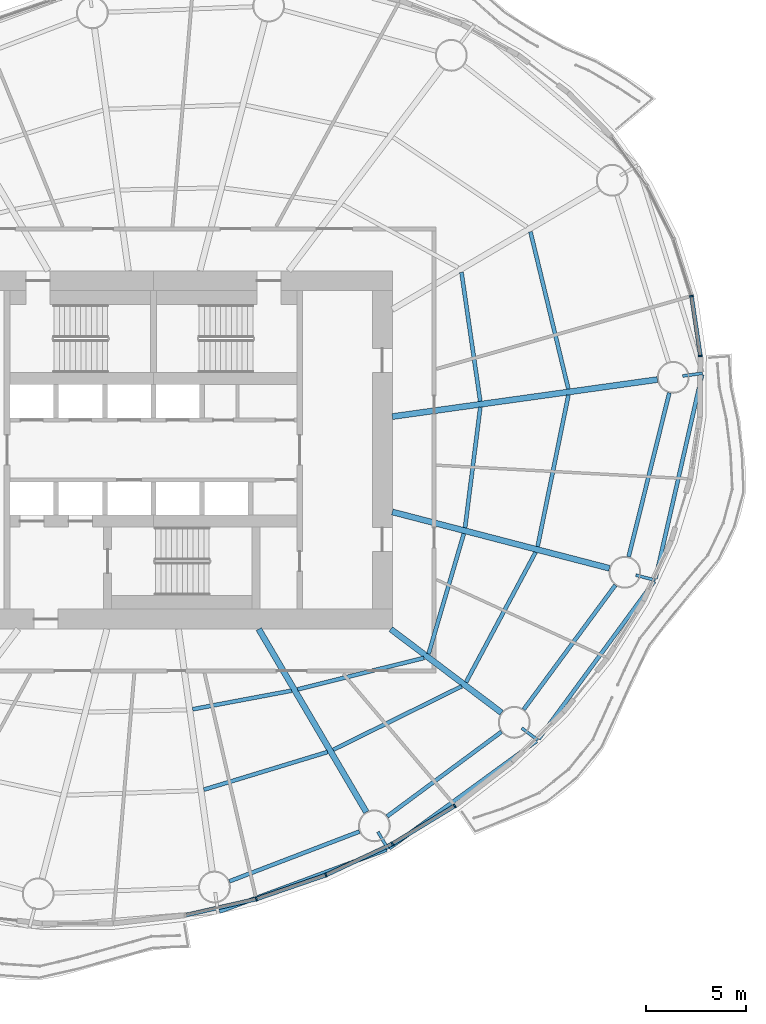
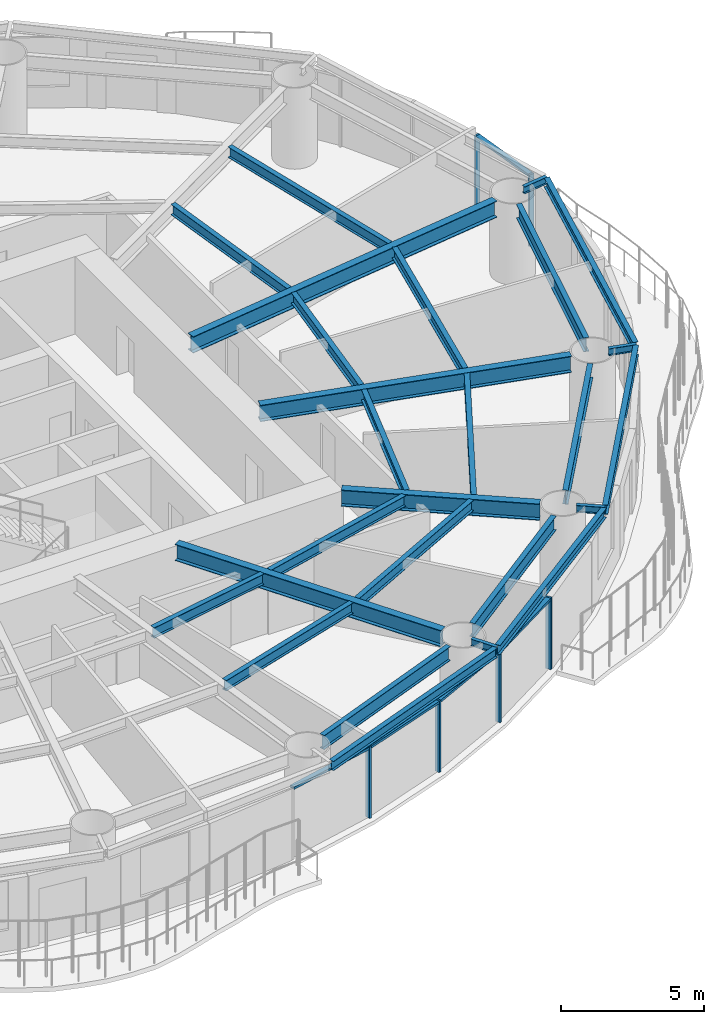
# One storey, part 3 of 15: 26 beams, 11 members, 6 elements without a shape of their own.
"""IFC4 building model written with IfcOpenShell, lengths in metres."""

from ifc_helpers import new_model, si_unit, direction, frame, origin, origin_2d, place, context, subcontext, project, spatial, rectangle, i_section, extrude, material, material_profile, profile_set, type_object, element, aggregate, save


model = new_model("IFC4")

# Units and contexts
model_context = context("Model", 3, precision=1e-05, world=origin(), true_north=direction((0.0, 1.0)))
body_context = subcontext(model_context, "Body", "Model", "MODEL_VIEW")
ifc_project = project(units=[si_unit("LENGTHUNIT", "METRE"), si_unit("AREAUNIT", "SQUARE_METRE"), si_unit("VOLUMEUNIT", "CUBIC_METRE"), si_unit("PLANEANGLEUNIT", "RADIAN"), si_unit("MASSUNIT", "GRAM", prefix="KILO")], contexts=[model_context])

# Site, building, storey
site_placement = place(None, origin())
site = spatial("IfcSite", under=ifc_project, at=site_placement, CompositionType="ELEMENT")
building_placement = place(site_placement, origin())
building = spatial("IfcBuilding", under=site, at=building_placement, Name="Vermilion Reach Broadcast Tower", CompositionType="ELEMENT")
storey_placement = place(building_placement, frame((0.0, 0.0, 121.0)))
storey = spatial("IfcBuildingStorey", under=building, at=storey_placement, Name="L28", CompositionType="ELEMENT", Elevation=121.0)

# Beams
ifc_material_1 = material(Name="Steel S355J2", Category="steel")
ifc_material_profile_1 = material_profile(ifc_material_1, i_section(OverallWidth=0.199951171875, OverallDepth=0.39990234375, WebThickness=0.008056640625, FlangeThickness=0.012939453125, at=origin_2d()), Name="S355J2 HN 400x200x8x13")
ifc_profile_set_1 = profile_set([ifc_material_profile_1], Name="Steel S355J2")
beam_type_1 = type_object("IfcBeamType", Name="EB2 HN 400x200x8x13", PredefinedType="BEAM", material=ifc_profile_set_1)
beam_1_placement = place(storey_placement, frame((-2.68603515625, -23.188720703125, 3.25), z_axis=(0.937636287559, 0.347617882527, 0.0), x_axis=(-0.347617882527, 0.937636287559, 0.0)))
element("IfcBeam", 1, at=beam_1_placement, inside=storey, type_object=beam_type_1, Name="Edge beam EB2-12", PredefinedType="BEAM", context=body_context, shape_type="SweptSolid", body=[
    extrude(i_section(OverallWidth=0.199951171875, OverallDepth=0.39990234375, WebThickness=0.008056640625, FlangeThickness=0.012939453125, at=origin_2d()), origin(), (0.0, 0.0, 1.0), 8.958740234375),
])
beam_2_placement = place(storey_placement, frame((5.846435546875, -20.00341796875, 3.25), z_axis=(0.808467079892, 0.588541401033, 0.0), x_axis=(-0.588541401033, 0.808467079892, 0.0)))
element("IfcBeam", 2, at=beam_2_placement, inside=storey, type_object=beam_type_1, Name="Edge beam EB2-13", PredefinedType="BEAM", context=body_context, shape_type="SweptSolid", body=[
    extrude(i_section(OverallWidth=0.199951171875, OverallDepth=0.39990234375, WebThickness=0.008056640625, FlangeThickness=0.012939453125, at=origin_2d()), origin(), (0.0, 0.0, 1.0), 9.147216796875),
])
beam_3_placement = place(storey_placement, frame((13.349365234375, -14.51318359375, 3.25), z_axis=(0.591716459007, 0.806146160532, 0.0), x_axis=(-0.806146160532, 0.591716459007, 0.0)))
element("IfcBeam", 3, at=beam_3_placement, inside=storey, type_object=beam_type_1, Name="Edge beam EB2-14", PredefinedType="BEAM", context=body_context, shape_type="SweptSolid", body=[
    extrude(i_section(OverallWidth=0.199951171875, OverallDepth=0.39990234375, WebThickness=0.008056640625, FlangeThickness=0.012939453125, at=origin_2d()), origin(), (0.0, 0.0, 1.0), 9.80859375),
])
beam_4_placement = place(storey_placement, frame((19.2177734375, -6.4677734375, 3.25), z_axis=(0.222599486824, 0.974909979673, 0.0), x_axis=(-0.974909979673, 0.222599486824, 0.0)))
element("IfcBeam", 4, at=beam_4_placement, inside=storey, type_object=beam_type_1, Name="Edge beam EB2-15", PredefinedType="BEAM", context=body_context, shape_type="SweptSolid", body=[
    extrude(i_section(OverallWidth=0.199951171875, OverallDepth=0.39990234375, WebThickness=0.008056640625, FlangeThickness=0.012939453125, at=origin_2d()), origin(), (0.0, 0.0, 1.0), 10.503662109375),
])
ifc_material_2 = material(Name="Steel S355J2", Category="steel")
ifc_material_profile_2 = material_profile(ifc_material_2, i_section(OverallWidth=0.300048828125, OverallDepth=0.699951171875, WebThickness=0.012939453125, FlangeThickness=0.02392578125, at=origin_2d()), Name="S355J2 HN 700x300x13x24")
ifc_profile_set_2 = profile_set([ifc_material_profile_2], Name="Steel S355J2")
beam_type_2 = type_object("IfcBeamType", Name="G2 HN 700x300x13x24", PredefinedType="BEAM", material=ifc_profile_set_2)
beam_5_placement = place(storey_placement, frame((-0.709228515625, -9.0, 3.10009765625), z_axis=(0.506783943634, -0.862073102744, 0.0), x_axis=(0.862073102744, 0.506783943634, 0.0)))
element("IfcBeam", 5, at=beam_5_placement, inside=storey, type_object=beam_type_2, Name="Girder G2-13", PredefinedType="BEAM", context=body_context, shape_type="SweptSolid", body=[
    extrude(i_section(OverallWidth=0.300048828125, OverallDepth=0.699951171875, WebThickness=0.012939453125, FlangeThickness=0.02392578125, at=origin_2d()), origin(), (0.0, 0.0, 1.0), 10.661865234375),
])
beam_6_placement = place(storey_placement, frame((5.921630859375, -9.0, 3.10009765625), z_axis=(0.798113534072, -0.602507084382, 0.0), x_axis=(0.602507084382, 0.798113534072, 0.0)))
element("IfcBeam", 6, at=beam_6_placement, inside=storey, type_object=beam_type_2, Name="Girder G2-14", PredefinedType="BEAM", context=body_context, shape_type="SweptSolid", body=[
    extrude(i_section(OverallWidth=0.300048828125, OverallDepth=0.699951171875, WebThickness=0.012939453125, FlangeThickness=0.02392578125, at=origin_2d()), origin(), (0.0, 0.0, 1.0), 6.971923828125),
])
beam_7_placement = place(storey_placement, frame((6.0, -3.114501953125, 3.10009765625), z_axis=(0.967926079816, -0.2512351568, 0.0), x_axis=(0.2512351568, 0.967926079816, 0.0)))
element("IfcBeam", 7, at=beam_7_placement, inside=storey, type_object=beam_type_2, Name="Girder G2-15", PredefinedType="BEAM", context=body_context, shape_type="SweptSolid", body=[
    extrude(i_section(OverallWidth=0.300048828125, OverallDepth=0.699951171875, WebThickness=0.012939453125, FlangeThickness=0.02392578125, at=origin_2d()), origin(), (0.0, 0.0, 1.0), 11.265625),
])
beam_8_placement = place(storey_placement, frame((6.0, 1.67578125, 3.10009765625), z_axis=(0.990389457618, 0.138306623986, 0.0), x_axis=(-0.138306623986, 0.990389457618, 0.0)))
element("IfcBeam", 8, at=beam_8_placement, inside=storey, type_object=beam_type_2, Name="Girder G2-16", PredefinedType="BEAM", context=body_context, shape_type="SweptSolid", body=[
    extrude(i_section(OverallWidth=0.300048828125, OverallDepth=0.699951171875, WebThickness=0.012939453125, FlangeThickness=0.02392578125, at=origin_2d()), origin(), (0.0, 0.0, 1.0), 13.445556640625),
])
ifc_material_3 = material(Name="Steel S355J2", Category="steel")
ifc_material_profile_3 = material_profile(ifc_material_3, i_section(OverallWidth=0.14990234375, OverallDepth=0.300048828125, WebThickness=0.006591796875, FlangeThickness=0.009033203125, at=origin_2d()), Name="S355J2 HN 300x150x6.5x9")
ifc_profile_set_3 = profile_set([ifc_material_profile_3], Name="Steel S355J2")
beam_type_3 = type_object("IfcBeamType", Name="GS2 HN 300x150x6.5x9", PredefinedType="BEAM", material=ifc_profile_set_3)
for number, where, z_axis, x_axis, name in (
    (9, (5.27880859375, -19.185791015625, 3.300048828125), (0.506828068037, -0.862047161964, 0.0), (0.862047161964, 0.506828068037, 0.0), "Cantilever stub GS2-13"),
    (10, (12.5068359375, -13.97119140625, 3.300048828125), (0.798091683473, -0.602536027779, 0.0), (0.602536027779, 0.798091683473, 0.0), "Cantilever stub GS2-14"),
    (11, (18.233154296875, -6.289794921875, 3.300048828125), (0.967935368459, -0.251199368006, 0.0), (0.251199368006, 0.967935368459, 0.0), "Cantilever stub GS2-15"),
    (12, (20.58349609375, 3.71240234375, 3.300048828125), (0.990374567622, 0.138413206764, 0.0), (-0.138413206764, 0.990374567622, 0.0), "Cantilever stub GS2-16"),
):
    element("IfcBeam", number, at=place(storey_placement, frame(where, z_axis=z_axis, x_axis=x_axis)), inside=storey, type_object=beam_type_3, Name=name, PredefinedType="BEAM", context=body_context, shape_type="SweptSolid", body=[
        extrude(i_section(OverallWidth=0.14990234375, OverallDepth=0.300048828125, WebThickness=0.006591796875, FlangeThickness=0.009033203125, at=origin_2d()), origin(), (0.0, 0.0, 1.0), 1.0),
    ])
ifc_material_4 = material(Name="Steel S355J2", Category="steel")
ifc_material_profile_4 = material_profile(ifc_material_4, i_section(OverallWidth=0.199951171875, OverallDepth=0.60009765625, WebThickness=0.010986328125, FlangeThickness=0.01708984375, at=origin_2d()), Name="S355J2 HN 600x200x11x17")
ifc_profile_set_4 = profile_set([ifc_material_profile_4], Name="Steel S355J2")
beam_type_4 = type_object("IfcBeamType", Name="RB2 HN 600x200x11x17", PredefinedType="BEAM", material=ifc_profile_set_4)
beam_9_placement = place(storey_placement, frame((-2.186767578125, -21.669677734375, 3.14990234375), z_axis=(0.933939237212, 0.357431813353, 0.0), x_axis=(-0.357431813353, 0.933939237212, 0.0)))
element("IfcBeam", 13, at=beam_9_placement, inside=storey, type_object=beam_type_4, Name="Ring beam RB2-12", PredefinedType="BEAM", context=body_context, shape_type="SweptSolid", body=[
    extrude(i_section(OverallWidth=0.199951171875, OverallDepth=0.60009765625, WebThickness=0.010986328125, FlangeThickness=0.01708984375, at=origin_2d()), origin(), (0.0, 0.0, 1.0), 7.001953125),
])
beam_10_placement = place(storey_placement, frame((5.74267578125, -18.4052734375, 3.14990234375), z_axis=(0.803832742218, 0.594855379515, 0.0), x_axis=(-0.594855379515, 0.803832742218, 0.0)))
element("IfcBeam", 14, at=beam_10_placement, inside=storey, type_object=beam_type_4, Name="Ring beam RB2-13", PredefinedType="BEAM", context=body_context, shape_type="SweptSolid", body=[
    extrude(i_section(OverallWidth=0.199951171875, OverallDepth=0.60009765625, WebThickness=0.010986328125, FlangeThickness=0.01708984375, at=origin_2d()), origin(), (0.0, 0.0, 1.0), 7.13916015625),
])
beam_11_placement = place(storey_placement, frame((12.59912109375, -13.03857421875, 3.14990234375), z_axis=(0.593250534798, 0.80501788984, 0.0), x_axis=(-0.80501788984, 0.593250534798, 0.0)))
element("IfcBeam", 15, at=beam_11_placement, inside=storey, type_object=beam_type_4, Name="Ring beam RB2-14", PredefinedType="BEAM", context=body_context, shape_type="SweptSolid", body=[
    extrude(i_section(OverallWidth=0.199951171875, OverallDepth=0.60009765625, WebThickness=0.010986328125, FlangeThickness=0.01708984375, at=origin_2d()), origin(), (0.0, 0.0, 1.0), 7.76220703125),
])
beam_12_placement = place(storey_placement, frame((17.871337890625, -5.369384765625, 3.14990234375), z_axis=(0.240863809798, 0.970558924089, 0.0), x_axis=(-0.970558924089, 0.240863809798, 0.0)))
element("IfcBeam", 16, at=beam_12_placement, inside=storey, type_object=beam_type_4, Name="Ring beam RB2-15", PredefinedType="BEAM", context=body_context, shape_type="SweptSolid", body=[
    extrude(i_section(OverallWidth=0.199951171875, OverallDepth=0.60009765625, WebThickness=0.010986328125, FlangeThickness=0.01708984375, at=origin_2d()), origin(), (0.0, 0.0, 1.0), 8.489013671875),
])
ifc_material_5 = material(Name="Steel S355J2", Category="steel")
ifc_material_profile_5 = material_profile(ifc_material_5, i_section(OverallWidth=0.199951171875, OverallDepth=0.449951171875, WebThickness=0.009033203125, FlangeThickness=0.013916015625, at=origin_2d()), Name="S355J2 HN 450x200x9x14")
ifc_profile_set_5 = profile_set([ifc_material_profile_5], Name="Steel S355J2")
beam_type_5 = type_object("IfcBeamType", Name="SB2 HN 450x200x9x14", PredefinedType="BEAM", material=ifc_profile_set_5)
beam_13_placement = place(storey_placement, frame((-4.029296875, -13.026611328125, 3.22509765625), z_axis=(0.982782890015, 0.184764149915, 0.0), x_axis=(-0.184764149915, 0.982782890015, 0.0)))
element("IfcBeam", 17, at=beam_13_placement, inside=storey, type_object=beam_type_5, Name="Secondary beam SB2-12-1", PredefinedType="BEAM", context=body_context, shape_type="SweptSolid", body=[
    extrude(i_section(OverallWidth=0.199951171875, OverallDepth=0.449951171875, WebThickness=0.009033203125, FlangeThickness=0.013916015625, at=origin_2d()), origin(), (0.0, 0.0, 1.0), 5.051513671875),
])
beam_14_placement = place(storey_placement, frame((-3.46533203125, -17.064697265625, 3.22509765625), z_axis=(0.956596430605, 0.291415972374, 0.0), x_axis=(-0.291415972374, 0.956596430605, 0.0)))
element("IfcBeam", 18, at=beam_14_placement, inside=storey, type_object=beam_type_5, Name="Secondary beam SB2-12-2", PredefinedType="BEAM", context=body_context, shape_type="SweptSolid", body=[
    extrude(i_section(OverallWidth=0.199951171875, OverallDepth=0.449951171875, WebThickness=0.009033203125, FlangeThickness=0.013916015625, at=origin_2d()), origin(), (0.0, 0.0, 1.0), 6.49267578125),
])
beam_15_placement = place(storey_placement, frame((1.24365234375, -12.026123046875, 3.22509765625), z_axis=(0.970396717612, 0.241516480695, 0.0), x_axis=(-0.241516480695, 0.970396717612, 0.0)))
element("IfcBeam", 19, at=beam_15_placement, inside=storey, type_object=beam_type_5, Name="Secondary beam SB2-13-1", PredefinedType="BEAM", context=body_context, shape_type="SweptSolid", body=[
    extrude(i_section(OverallWidth=0.199951171875, OverallDepth=0.449951171875, WebThickness=0.009033203125, FlangeThickness=0.013916015625, at=origin_2d()), origin(), (0.0, 0.0, 1.0), 6.539306640625),
])
beam_16_placement = place(storey_placement, frame((3.02783203125, -15.06103515625, 3.22509765625), z_axis=(0.896648255868, 0.442743611189, 0.0), x_axis=(-0.442743611189, 0.896648255868, 0.0)))
element("IfcBeam", 20, at=beam_16_placement, inside=storey, type_object=beam_type_5, Name="Secondary beam SB2-13-2", PredefinedType="BEAM", context=body_context, shape_type="SweptSolid", body=[
    extrude(i_section(OverallWidth=0.199951171875, OverallDepth=0.449951171875, WebThickness=0.009033203125, FlangeThickness=0.013916015625, at=origin_2d()), origin(), (0.0, 0.0, 1.0), 7.19677734375),
])
beam_17_placement = place(storey_placement, frame((7.821533203125, -10.246337890625, 3.22509765625), z_axis=(0.281175657723, 0.959656318431, 0.0), x_axis=(-0.959656318431, 0.281175657723, 0.0)))
element("IfcBeam", 21, at=beam_17_placement, inside=storey, type_object=beam_type_5, Name="Secondary beam SB2-14-1", PredefinedType="BEAM", context=body_context, shape_type="SweptSolid", body=[
    extrude(i_section(OverallWidth=0.199951171875, OverallDepth=0.449951171875, WebThickness=0.009033203125, FlangeThickness=0.013916015625, at=origin_2d()), origin(), (0.0, 0.0, 1.0), 6.298583984375),
])
beam_18_placement = place(storey_placement, frame((9.702880859375, -11.66650390625, 3.22509765625), z_axis=(0.471821551693, 0.881694064491, 0.0), x_axis=(-0.881694064491, 0.471821551693, 0.0)))
element("IfcBeam", 22, at=beam_18_placement, inside=storey, type_object=beam_type_5, Name="Secondary beam SB2-14-2", PredefinedType="BEAM", context=body_context, shape_type="SweptSolid", body=[
    extrude(i_section(OverallWidth=0.199951171875, OverallDepth=0.449951171875, WebThickness=0.009033203125, FlangeThickness=0.013916015625, at=origin_2d()), origin(), (0.0, 0.0, 1.0), 7.405029296875),
])
beam_19_placement = place(storey_placement, frame((9.65380859375, -3.907958984375, 3.22509765625), z_axis=(0.125557241128, 0.992086376885, 0.0), x_axis=(-0.992086376885, 0.125557241128, 0.0)))
element("IfcBeam", 23, at=beam_19_placement, inside=storey, type_object=beam_type_5, Name="Secondary beam SB2-15-1", PredefinedType="BEAM", context=body_context, shape_type="SweptSolid", body=[
    extrude(i_section(OverallWidth=0.199951171875, OverallDepth=0.449951171875, WebThickness=0.009033203125, FlangeThickness=0.013916015625, at=origin_2d()), origin(), (0.0, 0.0, 1.0), 6.097900390625),
])
beam_20_placement = place(storey_placement, frame((13.29931640625, -4.854248046875, 3.22509765625), z_axis=(0.19906416804, 0.979986457561, 0.0), x_axis=(-0.979986457561, 0.19906416804, 0.0)))
element("IfcBeam", 24, at=beam_20_placement, inside=storey, type_object=beam_type_5, Name="Secondary beam SB2-15-2", PredefinedType="BEAM", context=body_context, shape_type="SweptSolid", body=[
    extrude(i_section(OverallWidth=0.199951171875, OverallDepth=0.449951171875, WebThickness=0.009033203125, FlangeThickness=0.013916015625, at=origin_2d()), origin(), (0.0, 0.0, 1.0), 7.76953125),
])
beam_21_placement = place(storey_placement, frame((10.417236328125, 2.444091796875, 3.22509765625), z_axis=(-0.143973706518, 0.989581513485, 0.0), x_axis=(-0.989581513485, -0.143973706518, 0.0)))
element("IfcBeam", 25, at=beam_21_placement, inside=storey, type_object=beam_type_5, Name="Secondary beam SB2-16-1", PredefinedType="BEAM", context=body_context, shape_type="SweptSolid", body=[
    extrude(i_section(OverallWidth=0.199951171875, OverallDepth=0.449951171875, WebThickness=0.009033203125, FlangeThickness=0.013916015625, at=origin_2d()), origin(), (0.0, 0.0, 1.0), 6.547119140625),
])
beam_22_placement = place(storey_placement, frame((14.84228515625, 3.06201171875, 3.22509765625), z_axis=(-0.234260568382, 0.972173845617, 0.0), x_axis=(-0.972173845617, -0.234260568382, 0.0)))
element("IfcBeam", 26, at=beam_22_placement, inside=storey, type_object=beam_type_5, Name="Secondary beam SB2-16-2", PredefinedType="BEAM", context=body_context, shape_type="SweptSolid", body=[
    extrude(i_section(OverallWidth=0.199951171875, OverallDepth=0.449951171875, WebThickness=0.009033203125, FlangeThickness=0.013916015625, at=origin_2d()), origin(), (0.0, 0.0, 1.0), 8.123779296875),
])

# Curtain wall, member
ifc_material_6 = material(Name="Low-e laminated clear glass in aluminium frame", Category="aluminium")
curtain_wall_type = type_object("IfcCurtainWallType", Name="Slot curtain wall", PredefinedType="NOTDEFINED", material=ifc_material_6)
placement = place(storey_placement, origin())
curtain_wall_1 = element("IfcCurtainWall", 27, at=placement, inside=storey, type_object=curtain_wall_type, Name="Slot curtain wall L28 46", PredefinedType="NOTDEFINED")
ifc_material_7 = material(Name="Anodised aluminium", Category="aluminium")
ifc_material_profile_6 = material_profile(ifc_material_7, rectangle(XDim=0.199951171875, YDim=0.080078125, at=origin_2d()), Name="Slot mullion 80 x 200")
ifc_profile_set_6 = profile_set([ifc_material_profile_6], Name="Anodised aluminium")
member_type_1 = type_object("IfcMemberType", Name="Slot mullion 80 x 200", PredefinedType="MULLION", material=ifc_profile_set_6)
member_1_placement = place(storey_placement, frame((21.471923828125, 4.724365234375, 0.0), z_axis=(0.0, 0.0, 1.0), x_axis=(-0.997556058222, -0.069870671271, 0.0)))
member_1 = element("IfcMember", 28, at=member_1_placement, type_object=member_type_1, Name="Slot mullion L28 46", PredefinedType="MULLION", context=body_context, shape_type="SweptSolid", body=[
    extrude(rectangle(XDim=0.199951171875, YDim=0.080078125, at=origin_2d()), origin(), (0.0, 0.0, 1.0), 3.050048828125),
])

curtain_wall_2 = element("IfcCurtainWall", 29, at=placement, inside=storey, type_object=curtain_wall_type, Name="Slot curtain wall L28 47", PredefinedType="NOTDEFINED")
member_2_placement = place(storey_placement, frame((21.026611328125, 7.726318359375, 0.0), z_axis=(0.0, 0.0, 1.0), x_axis=(-0.974483307228, -0.224459982925, 0.0)))
member_2 = element("IfcMember", 30, at=member_2_placement, type_object=member_type_1, Name="Slot mullion L28 47", PredefinedType="MULLION", context=body_context, shape_type="SweptSolid", body=[
    extrude(rectangle(XDim=0.199951171875, YDim=0.080078125, at=origin_2d()), origin(), (0.0, 0.0, 1.0), 3.050048828125),
])
aggregate(curtain_wall_2, [member_2])

curtain_wall_3 = element("IfcCurtainWall", 31, at=placement, inside=storey, type_object=curtain_wall_type, Name="Slot curtain wall L28 35", PredefinedType="NOTDEFINED")
member_3_placement = place(storey_placement, frame((-0.827880859375, -22.55712890625, 0.0), z_axis=(0.0, 0.0, 1.0), x_axis=(-0.274195317575, 0.961674023679, 0.0)))
member_3 = element("IfcMember", 32, at=member_3_placement, type_object=member_type_1, Name="Slot mullion L28 35", PredefinedType="MULLION", context=body_context, shape_type="SweptSolid", body=[
    extrude(rectangle(XDim=0.199951171875, YDim=0.080078125, at=origin_2d()), origin(), (0.0, 0.0, 1.0), 3.050048828125),
])

curtain_wall_4 = element("IfcCurtainWall", 33, at=placement, inside=storey, type_object=curtain_wall_type, Name="Slot curtain wall L28 36", PredefinedType="NOTDEFINED")
member_4_placement = place(storey_placement, frame((2.66259765625, -21.354736328125, 0.0), z_axis=(0.0, 0.0, 1.0), x_axis=(-0.37590079976, 0.926659909967, 0.0)))
member_4 = element("IfcMember", 34, at=member_4_placement, type_object=member_type_1, Name="Slot mullion L28 36", PredefinedType="MULLION", context=body_context, shape_type="SweptSolid", body=[
    extrude(rectangle(XDim=0.199951171875, YDim=0.080078125, at=origin_2d()), origin(), (0.0, 0.0, 1.0), 3.050048828125),
])

# Curtain wall, members
curtain_wall_5 = element("IfcCurtainWall", 35, at=placement, inside=storey, type_object=curtain_wall_type, Name="Slot curtain wall L28 37", PredefinedType="NOTDEFINED")
member_5_placement = place(storey_placement, frame((6.004150390625, -19.78564453125, 0.0), z_axis=(0.0, 0.0, 1.0), x_axis=(-0.473257207118, 0.880924296357, 0.0)))
member_5 = element("IfcMember", 36, at=member_5_placement, type_object=member_type_1, Name="Slot mullion L28 37", PredefinedType="MULLION", context=body_context, shape_type="SweptSolid", body=[
    extrude(rectangle(XDim=0.199951171875, YDim=0.080078125, at=origin_2d()), origin(), (0.0, 0.0, 1.0), 3.050048828125),
])
member_6_placement = place(storey_placement, frame((9.13916015625, -17.876708984375, 0.0), z_axis=(0.0, 0.0, 1.0), x_axis=(-0.566132978597, 0.824313927181, 0.0)))
member_6 = element("IfcMember", 37, at=member_6_placement, type_object=member_type_1, Name="Slot mullion L28 38", PredefinedType="MULLION", context=body_context, shape_type="SweptSolid", body=[
    extrude(rectangle(XDim=0.199951171875, YDim=0.080078125, at=origin_2d()), origin(), (0.0, 0.0, 1.0), 3.050048828125),
])

# Member
ifc_material_8 = material(Name="Anodised aluminium", Category="aluminium")
ifc_material_profile_7 = material_profile(ifc_material_8, rectangle(XDim=0.199951171875, YDim=0.10009765625, at=origin_2d()), Name="Slot transom 200 x 100")
ifc_profile_set_7 = profile_set([ifc_material_profile_7], Name="Anodised aluminium")
member_type_2 = type_object("IfcMemberType", Name="Slot transom 200 x 100", PredefinedType="USERDEFINED", material=ifc_profile_set_7)
member_7_placement = place(storey_placement, frame((21.466064453125, 4.763916015625, 3.0), z_axis=(-0.146740301759, 0.989175052172, 0.0), x_axis=(-0.989175052172, -0.146740301759, 0.0)))
member_7 = element("IfcMember", 38, at=member_7_placement, type_object=member_type_2, Name="Slot transom L28 46.1", ObjectType="TRANSOM", PredefinedType="USERDEFINED", context=body_context, shape_type="SweptSolid", body=[
    extrude(rectangle(XDim=0.199951171875, YDim=0.10009765625, at=origin_2d()), origin(), (0.0, 0.0, 1.0), 2.954833984375),
])

aggregate(curtain_wall_1, [member_1, member_7])

# Curtain wall, member
curtain_wall_6 = element("IfcCurtainWall", 39, at=placement, inside=storey, type_object=curtain_wall_type, Name="Slot curtain wall L28 34", PredefinedType="NOTDEFINED")
member_8_placement = place(storey_placement, frame((-4.367919921875, -23.36279296875, 3.0), z_axis=(0.975064015989, 0.221923781339, 0.0), x_axis=(-0.221923781339, 0.975064015989, 0.0)))
member_8 = element("IfcMember", 40, at=member_8_placement, type_object=member_type_2, Name="Slot transom L28 34.1", ObjectType="TRANSOM", PredefinedType="USERDEFINED", context=body_context, shape_type="SweptSolid", body=[
    extrude(rectangle(XDim=0.199951171875, YDim=0.10009765625, at=origin_2d()), origin(), (0.0, 0.0, 1.0), 3.5908203125),
])
aggregate(curtain_wall_6, [member_8])

# Member
member_9_placement = place(storey_placement, frame((-0.7900390625, -22.5439453125, 3.0), z_axis=(0.945500060962, 0.325621919901, 0.0), x_axis=(-0.325621919901, 0.945500060962, 0.0)))
member_9 = element("IfcMember", 41, at=member_9_placement, type_object=member_type_2, Name="Slot transom L28 35.1", ObjectType="TRANSOM", PredefinedType="USERDEFINED", context=body_context, shape_type="SweptSolid", body=[
    extrude(rectangle(XDim=0.199951171875, YDim=0.10009765625, at=origin_2d()), origin(), (0.0, 0.0, 1.0), 3.611572265625),
])

aggregate(curtain_wall_3, [member_3, member_9])

member_10_placement = place(storey_placement, frame((2.69873046875, -21.337890625, 3.0), z_axis=(0.905173790943, 0.425041654652, 0.0), x_axis=(-0.425041654652, 0.905173790943, 0.0)))
member_10 = element("IfcMember", 42, at=member_10_placement, type_object=member_type_2, Name="Slot transom L28 36.1", ObjectType="TRANSOM", PredefinedType="USERDEFINED", context=body_context, shape_type="SweptSolid", body=[
    extrude(rectangle(XDim=0.199951171875, YDim=0.10009765625, at=origin_2d()), origin(), (0.0, 0.0, 1.0), 3.61181640625),
])

aggregate(curtain_wall_4, [member_4, member_10])

member_11_placement = place(storey_placement, frame((6.038330078125, -19.764892578125, 3.0), z_axis=(0.854121081639, 0.520074204224, 0.0), x_axis=(-0.520074204224, 0.854121081639, 0.0)))
member_11 = element("IfcMember", 43, at=member_11_placement, type_object=member_type_2, Name="Slot transom L28 37.1", ObjectType="TRANSOM", PredefinedType="USERDEFINED", context=body_context, shape_type="SweptSolid", body=[
    extrude(rectangle(XDim=0.199951171875, YDim=0.10009765625, at=origin_2d()), origin(), (0.0, 0.0, 1.0), 3.5908203125),
])

aggregate(curtain_wall_5, [member_5, member_6, member_11])

save(model, "model.ifc")
